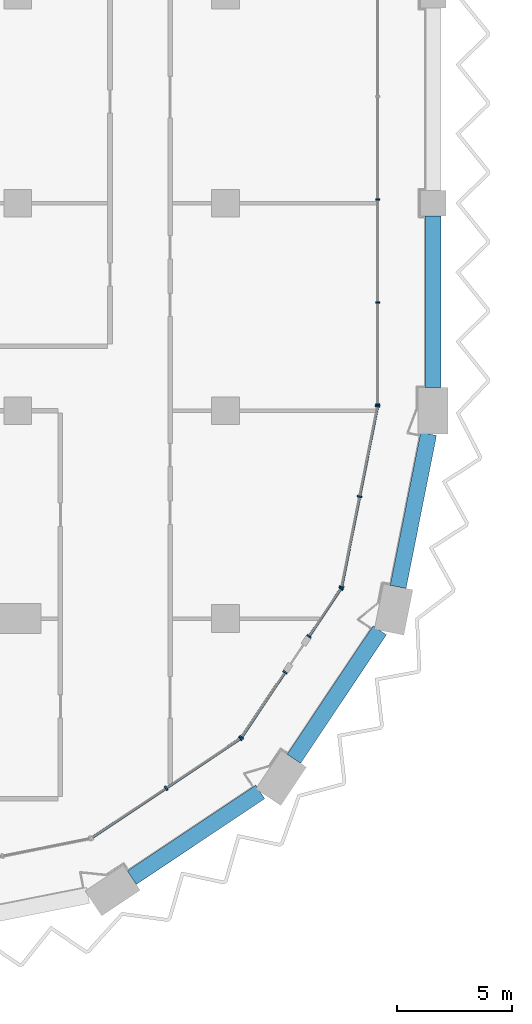
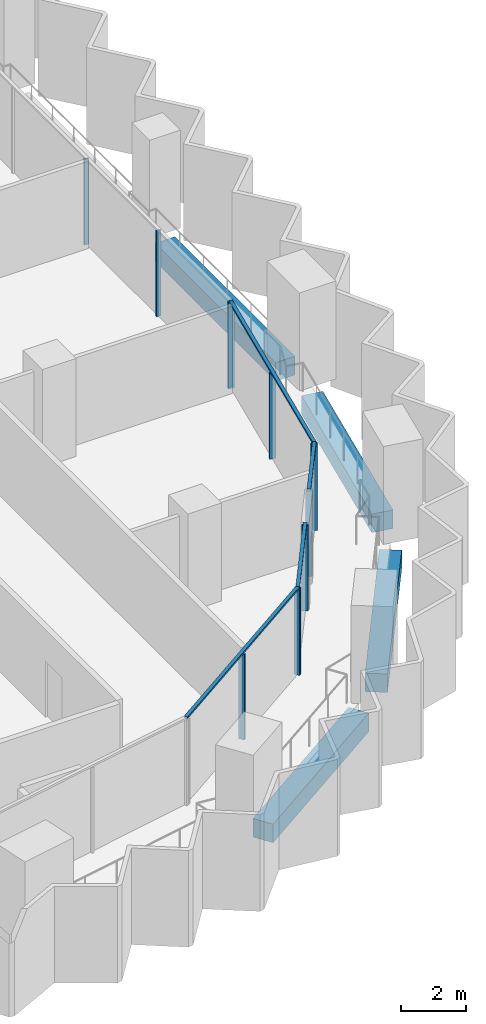
# One storey, part 4 of 23: 16 members, 4 beams, 5 elements without a shape of their own.
"""IFC4 building model written with IfcOpenShell, lengths in metres."""

from ifc_helpers import new_model, si_unit, direction, frame, origin, origin_2d, place, context, subcontext, project, spatial, rectangle, extrude, material, material_profile, profile_set, type_object, element, aggregate, save


model = new_model("IFC4")

# Units and contexts
model_context = context("Model", 3, precision=1e-05, world=origin(), true_north=direction((0.0, 1.0)))
body_context = subcontext(model_context, "Body", "Model", "MODEL_VIEW")
ifc_project = project(units=[si_unit("LENGTHUNIT", "METRE"), si_unit("AREAUNIT", "SQUARE_METRE"), si_unit("VOLUMEUNIT", "CUBIC_METRE"), si_unit("PLANEANGLEUNIT", "RADIAN"), si_unit("MASSUNIT", "GRAM", prefix="KILO")], contexts=[model_context])

# Site, building, storey
site_placement = place(None, origin())
site = spatial("IfcSite", under=ifc_project, at=site_placement, CompositionType="ELEMENT")
building_placement = place(site_placement, origin())
building = spatial("IfcBuilding", under=site, at=building_placement, Name="Hunhe Ridgeline Campus", CompositionType="ELEMENT")
storey_placement = place(building_placement, frame((0.0, 0.0, 170.800048828125)))
storey = spatial("IfcBuildingStorey", under=building, at=storey_placement, Name="L43", CompositionType="ELEMENT", Elevation=170.800048828125)

# Curtain wall, members
ifc_material_1 = material(Name="Aluminium 6063", Category="aluminium")
curtain_wall_type_1 = type_object("IfcCurtainWallType", Name="Curtain wall CW-1", PredefinedType="NOTDEFINED", material=ifc_material_1)
curtain_wall_1_placement = place(storey_placement, origin())
curtain_wall_1 = element("IfcCurtainWall", 1, at=curtain_wall_1_placement, inside=storey, type_object=curtain_wall_type_1, Name="Curtain wall 11", PredefinedType="NOTDEFINED")
ifc_material_profile_1 = material_profile(ifc_material_1, rectangle(XDim=0.159912109375, YDim=0.06005859375, at=origin_2d()))
ifc_profile_set_1 = profile_set([ifc_material_profile_1], Name="Aluminium 6063")
member_type_1 = type_object("IfcMemberType", Name="CW-1 aluminium mullion", PredefinedType="MULLION", material=ifc_profile_set_1)
member_1_placement = place(storey_placement, frame((42.59912109375, 27.266357421875, 0.0), z_axis=(0.0, 0.0, 1.0), x_axis=(-0.99999999999, 4.408911e-06, 0.0)))
member_1 = element("IfcMember", 2, at=member_1_placement, type_object=member_type_1, Name="CW-1 mullion 1", PredefinedType="MULLION", context=body_context, shape_type="SweptSolid", body=[
    extrude(rectangle(XDim=0.159912109375, YDim=0.06005859375, at=origin_2d()), origin(), (0.0, 0.0, 1.0), 3.239990234375),
])
member_2_placement = place(storey_placement, frame((42.59912109375, 31.697021484375, 0.0), z_axis=(0.0, 0.0, 1.0), x_axis=(-0.99999999999, 4.408911e-06, 0.0)))
member_2 = element("IfcMember", 3, at=member_2_placement, type_object=member_type_1, Name="CW-1 mullion 2", PredefinedType="MULLION", context=body_context, shape_type="SweptSolid", body=[
    extrude(rectangle(XDim=0.159912109375, YDim=0.06005859375, at=origin_2d()), origin(), (0.0, 0.0, 1.0), 3.239990234375),
])
member_3_placement = place(storey_placement, frame((42.59912109375, 36.15771484375, 0.0), z_axis=(0.0, 0.0, 1.0), x_axis=(-0.99999999999, 4.408911e-06, 0.0)))
member_3 = element("IfcMember", 4, at=member_3_placement, type_object=member_type_1, Name="CW-1 mullion 3", PredefinedType="MULLION", context=body_context, shape_type="SweptSolid", body=[
    extrude(rectangle(XDim=0.159912109375, YDim=0.06005859375, at=origin_2d()), origin(), (0.0, 0.0, 1.0), 3.239990234375),
])
aggregate(curtain_wall_1, [member_1, member_2, member_3])

curtain_wall_type_2 = type_object("IfcCurtainWallType", Name="Curtain wall CW-5", PredefinedType="NOTDEFINED", material=ifc_material_1)
curtain_wall_2_placement = place(storey_placement, origin())
curtain_wall_2 = element("IfcCurtainWall", 5, at=curtain_wall_2_placement, inside=storey, type_object=curtain_wall_type_2, Name="Curtain wall 07", PredefinedType="NOTDEFINED")
ifc_material_profile_2 = material_profile(ifc_material_1, rectangle(XDim=0.199951171875, YDim=0.070068359375, at=origin_2d()))
ifc_profile_set_2 = profile_set([ifc_material_profile_2], Name="Aluminium 6063")
member_type_2 = type_object("IfcMemberType", Name="CW-5 aluminium mullion", PredefinedType="MULLION", material=ifc_profile_set_2)
member_4_placement = place(storey_placement, frame((33.42626953125, 10.647705078125, 0.0), z_axis=(0.0, 0.0, 1.0), x_axis=(-0.555570274596, 0.831469584522, 0.0)))
member_4 = element("IfcMember", 6, at=member_4_placement, type_object=member_type_2, Name="CW-5 mullion 2", PredefinedType="MULLION", context=body_context, shape_type="SweptSolid", body=[
    extrude(rectangle(XDim=0.199951171875, YDim=0.070068359375, at=origin_2d()), origin(), (0.0, 0.0, 1.0), 3.22998046875),
])
member_5_placement = place(storey_placement, frame((36.649658203125, 12.8017578125, 0.0), z_axis=(0.0, 0.0, 1.0), x_axis=(-0.555570274596, 0.831469584522, 0.0)))
member_5 = element("IfcMember", 7, at=member_5_placement, type_object=member_type_2, Name="CW-5 mullion 3", PredefinedType="MULLION", context=body_context, shape_type="SweptSolid", body=[
    extrude(rectangle(XDim=0.199951171875, YDim=0.070068359375, at=origin_2d()), origin(), (0.0, 0.0, 1.0), 3.22998046875),
])

curtain_wall_3_placement = place(storey_placement, origin())
curtain_wall_3 = element("IfcCurtainWall", 8, at=curtain_wall_3_placement, inside=storey, type_object=curtain_wall_type_2, Name="Curtain wall 08", PredefinedType="NOTDEFINED")
member_6_placement = place(storey_placement, frame((36.6982421875, 12.850341796875, 0.0), z_axis=(0.0, 0.0, 1.0), x_axis=(-0.831469595944, 0.555570257501, 0.0)))
member_6 = element("IfcMember", 9, at=member_6_placement, type_object=member_type_2, Name="CW-5 mullion 1", PredefinedType="MULLION", context=body_context, shape_type="SweptSolid", body=[
    extrude(rectangle(XDim=0.199951171875, YDim=0.070068359375, at=origin_2d()), origin(), (0.0, 0.0, 1.0), 3.22998046875),
])
member_7_placement = place(storey_placement, frame((38.582763671875, 15.67041015625, 0.0), z_axis=(0.0, 0.0, 1.0), x_axis=(-0.831469595944, 0.555570257501, 0.0)))
member_7 = element("IfcMember", 10, at=member_7_placement, type_object=member_type_2, Name="CW-5 mullion 2", PredefinedType="MULLION", context=body_context, shape_type="SweptSolid", body=[
    extrude(rectangle(XDim=0.199951171875, YDim=0.070068359375, at=origin_2d()), origin(), (0.0, 0.0, 1.0), 3.22998046875),
])

curtain_wall_4_placement = place(storey_placement, origin())
curtain_wall_4 = element("IfcCurtainWall", 11, at=curtain_wall_4_placement, inside=storey, type_object=curtain_wall_type_2, Name="Curtain wall 09", PredefinedType="NOTDEFINED")
member_8_placement = place(storey_placement, frame((39.62158203125, 17.225341796875, 0.0), z_axis=(0.0, 0.0, 1.0), x_axis=(-0.831469510353, 0.555570385598, 0.0)))
member_8 = element("IfcMember", 12, at=member_8_placement, type_object=member_type_2, Name="CW-5 mullion 1", PredefinedType="MULLION", context=body_context, shape_type="SweptSolid", body=[
    extrude(rectangle(XDim=0.199951171875, YDim=0.070068359375, at=origin_2d()), origin(), (0.0, 0.0, 1.0), 3.22998046875),
])
member_9_placement = place(storey_placement, frame((41.006103515625, 19.29736328125, 0.0), z_axis=(0.0, 0.0, 1.0), x_axis=(-0.831469510353, 0.555570385598, 0.0)))
member_9 = element("IfcMember", 13, at=member_9_placement, type_object=member_type_2, Name="CW-5 mullion 2", PredefinedType="MULLION", context=body_context, shape_type="SweptSolid", body=[
    extrude(rectangle(XDim=0.199951171875, YDim=0.070068359375, at=origin_2d()), origin(), (0.0, 0.0, 1.0), 3.22998046875),
])

curtain_wall_5_placement = place(storey_placement, origin())
curtain_wall_5 = element("IfcCurtainWall", 14, at=curtain_wall_5_placement, inside=storey, type_object=curtain_wall_type_2, Name="Curtain wall 10", PredefinedType="NOTDEFINED")
member_10_placement = place(storey_placement, frame((41.032470703125, 19.36083984375, 0.0), z_axis=(0.0, 0.0, 1.0), x_axis=(-0.980785284939, 0.195090299215, 0.0)))
member_10 = element("IfcMember", 15, at=member_10_placement, type_object=member_type_2, Name="CW-5 mullion 1", PredefinedType="MULLION", context=body_context, shape_type="SweptSolid", body=[
    extrude(rectangle(XDim=0.199951171875, YDim=0.070068359375, at=origin_2d()), origin(), (0.0, 0.0, 1.0), 3.22998046875),
])
member_11_placement = place(storey_placement, frame((41.812255859375, 23.281494140625, 0.0), z_axis=(0.0, 0.0, 1.0), x_axis=(-0.980785284939, 0.195090299215, 0.0)))
member_11 = element("IfcMember", 16, at=member_11_placement, type_object=member_type_2, Name="CW-5 mullion 2", PredefinedType="MULLION", context=body_context, shape_type="SweptSolid", body=[
    extrude(rectangle(XDim=0.199951171875, YDim=0.070068359375, at=origin_2d()), origin(), (0.0, 0.0, 1.0), 3.22998046875),
])
member_12_placement = place(storey_placement, frame((42.59228515625, 27.2021484375, 0.0), z_axis=(0.0, 0.0, 1.0), x_axis=(-0.980785284939, 0.195090299215, 0.0)))
member_12 = element("IfcMember", 17, at=member_12_placement, type_object=member_type_2, Name="CW-5 mullion 3", PredefinedType="MULLION", context=body_context, shape_type="SweptSolid", body=[
    extrude(rectangle(XDim=0.199951171875, YDim=0.070068359375, at=origin_2d()), origin(), (0.0, 0.0, 1.0), 3.22998046875),
])

# Member
ifc_material_profile_3 = material_profile(ifc_material_1, rectangle(XDim=0.1201171875, YDim=0.070068359375, at=origin_2d()))
ifc_profile_set_3 = profile_set([ifc_material_profile_3], Name="Aluminium 6063")
member_type_3 = type_object("IfcMemberType", Name="CW-5 aluminium transom", PredefinedType="USERDEFINED", material=ifc_profile_set_3)
member_13_placement = place(storey_placement, frame((30.173583984375, 8.474365234375, 3.264892578125), z_axis=(0.831473763475, 0.5555640203, 0.0), x_axis=(-0.5555640203, 0.831473763475, 0.0)))
member_13 = element("IfcMember", 18, at=member_13_placement, type_object=member_type_3, Name="CW-5 transom 1", ObjectType="TRANSOM", PredefinedType="USERDEFINED", context=body_context, shape_type="SweptSolid", body=[
    extrude(rectangle(XDim=0.1201171875, YDim=0.070068359375, at=origin_2d()), origin(), (0.0, 0.0, 1.0), 7.823974609375),
])

aggregate(curtain_wall_2, [member_13, member_4, member_5])

member_14_placement = place(storey_placement, frame((36.678955078125, 12.821044921875, 3.264892578125), z_axis=(0.555546133463, 0.831485714606, 0.0), x_axis=(-0.831485714606, 0.555546133463, 0.0)))
member_14 = element("IfcMember", 19, at=member_14_placement, type_object=member_type_3, Name="CW-5 transom 1", ObjectType="TRANSOM", PredefinedType="USERDEFINED", context=body_context, shape_type="SweptSolid", body=[
    extrude(rectangle(XDim=0.1201171875, YDim=0.070068359375, at=origin_2d()), origin(), (0.0, 0.0, 1.0), 3.462158203125),
])

aggregate(curtain_wall_3, [member_14, member_6, member_7])

member_15_placement = place(storey_placement, frame((39.602294921875, 17.1962890625, 3.264892578125), z_axis=(0.555579547735, 0.831463388334, 0.0), x_axis=(-0.831463388334, 0.555579547735, 0.0)))
member_15 = element("IfcMember", 20, at=member_15_placement, type_object=member_type_3, Name="CW-5 transom 1", ObjectType="TRANSOM", PredefinedType="USERDEFINED", context=body_context, shape_type="SweptSolid", body=[
    extrude(rectangle(XDim=0.1201171875, YDim=0.070068359375, at=origin_2d()), origin(), (0.0, 0.0, 1.0), 2.56201171875),
])

aggregate(curtain_wall_4, [member_15, member_8, member_9])

member_16_placement = place(storey_placement, frame((41.025634765625, 19.326416015625, 3.264892578125), z_axis=(0.195097290093, 0.980783894341, 0.0), x_axis=(-0.980783894341, 0.195097290093, 0.0)))
member_16 = element("IfcMember", 21, at=member_16_placement, type_object=member_type_3, Name="CW-5 transom 1", ObjectType="TRANSOM", PredefinedType="USERDEFINED", context=body_context, shape_type="SweptSolid", body=[
    extrude(rectangle(XDim=0.1201171875, YDim=0.070068359375, at=origin_2d()), origin(), (0.0, 0.0, 1.0), 8.065185546875),
])

aggregate(curtain_wall_5, [member_16, member_10, member_11, member_12])

# Beams
ifc_material_2 = material(Name="Concrete C60", Category="concrete")
ifc_material_profile_4 = material_profile(ifc_material_2, rectangle(XDim=0.699951171875, YDim=0.699951171875, at=origin_2d()))
ifc_profile_set_4 = profile_set([ifc_material_profile_4], Name="Concrete C60")
beam_type = type_object("IfcBeamType", Name="RC spandrel beam 700x700 Concrete C60", PredefinedType="SPANDREL", material=ifc_profile_set_4)
for number, where, z_axis, x_axis, name in (
    (22, (31.94189453125, 6.768310546875, -0.60009765625), (0.831472141711, 0.555566447474, 0.0), (-0.555566447474, 0.831472141711, 0.0), "Spandrel beam B2-6 L43"),
    (23, (38.965576171875, 11.921630859375, -0.60009765625), (0.555566447474, 0.831472141711, 0.0), (-0.831472141711, 0.555566447474, 0.0), "Spandrel beam B2-7 L43"),
):
    element("IfcBeam", number, at=place(storey_placement, frame(where, z_axis=z_axis, x_axis=x_axis)), inside=storey, type_object=beam_type, Name=name, PredefinedType="SPANDREL", context=body_context, shape_type="SweptSolid", body=[
        extrude(rectangle(XDim=0.699951171875, YDim=0.699951171875, at=origin_2d()), origin(), (0.0, 0.0, 1.0), 6.69677734375),
    ])
beam_1_placement = place(storey_placement, frame((43.482421875, 19.370361328125, -0.60009765625), z_axis=(0.195074154586, 0.980788496166, 0.0), x_axis=(-0.980788496166, 0.195074154586, 0.0)))
element("IfcBeam", 24, at=beam_1_placement, inside=storey, type_object=beam_type, Name="Spandrel beam B2-8 L43", PredefinedType="SPANDREL", context=body_context, shape_type="SweptSolid", body=[
    extrude(rectangle(XDim=0.699951171875, YDim=0.699951171875, at=origin_2d()), origin(), (0.0, 0.0, 1.0), 6.759521484375),
])
beam_2_placement = place(storey_placement, frame((45.0, 28.0, -0.60009765625), z_axis=(0.0, 1.0, 0.0), x_axis=(-1.0, 0.0, 0.0)))
element("IfcBeam", 25, at=beam_2_placement, inside=storey, type_object=beam_type, Name="Spandrel beam B2-9 L43", PredefinedType="SPANDREL", context=body_context, shape_type="SweptSolid", body=[
    extrude(rectangle(XDim=0.699951171875, YDim=0.699951171875, at=origin_2d()), origin(), (0.0, 0.0, 1.0), 7.449951171875),
])

save(model, "model.ifc")
